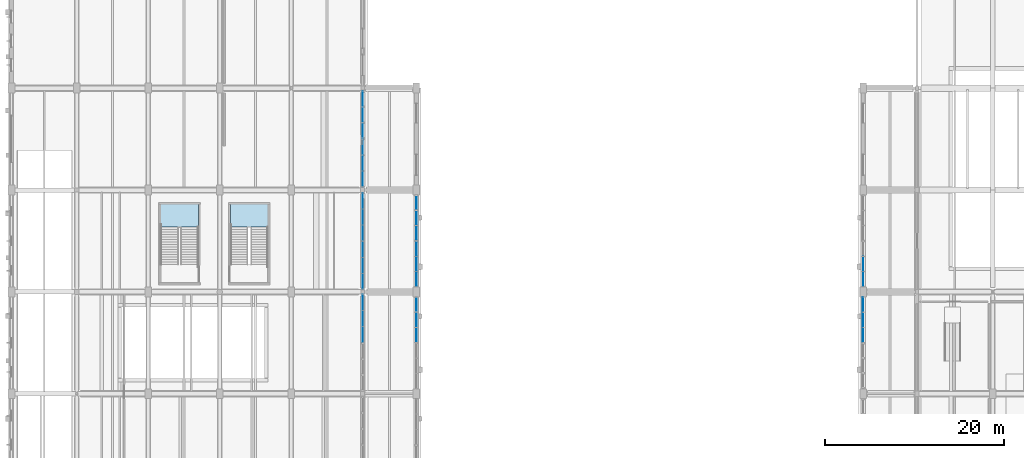
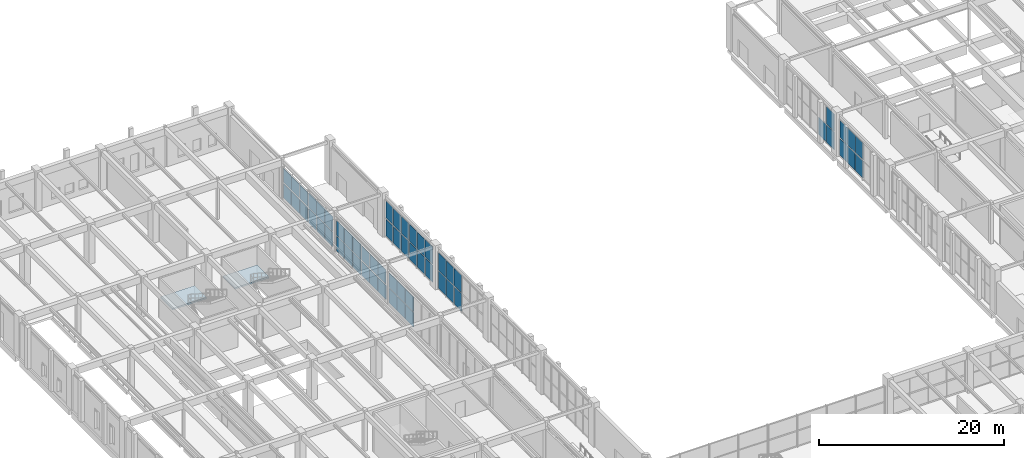
# One storey, part 76 of 113: 57 plates, 2 slabs, 12 elements without a shape of their own.
"""IFC4 building model written with IfcOpenShell, lengths in metres."""

from ifc_helpers import new_model, si_unit, direction, frame, origin, origin_2d, place, context, subcontext, project, spatial, polyline, rectangle, outline, extrude, material, layer, layer_set, type_object, element, aggregate, save


model = new_model("IFC4")

# Units and contexts
model_context = context("Model", 3, precision=1e-05, world=origin(), true_north=direction((0.0, 1.0)))
body_context = subcontext(model_context, "Body", "Model", "MODEL_VIEW")
ifc_project = project(units=[si_unit("LENGTHUNIT", "METRE"), si_unit("AREAUNIT", "SQUARE_METRE"), si_unit("VOLUMEUNIT", "CUBIC_METRE"), si_unit("PLANEANGLEUNIT", "RADIAN"), si_unit("MASSUNIT", "GRAM", prefix="KILO"), si_unit("POWERUNIT", "WATT"), si_unit("THERMODYNAMICTEMPERATUREUNIT", "KELVIN")], contexts=[model_context])

# Site, building, storey
site_placement = place(None, origin())
site = spatial("IfcSite", under=ifc_project, at=site_placement, CompositionType="ELEMENT")
building_placement = place(site_placement, origin())
building = spatial("IfcBuilding", under=site, at=building_placement, Name="Kelmbourne Parkland Aquatics Centre", CompositionType="ELEMENT")
storey_placement = place(building_placement, origin())
storey = spatial("IfcBuildingStorey", under=building, at=storey_placement, Name="L00", CompositionType="ELEMENT", Elevation=0.0)

# Curtain wall, plates
ifc_material_1 = material(Name="Thermally broken anodised aluminium framing", Category="aluminium")
ifc_layer_1 = layer(ifc_material_1, 0.179931640625)
ifc_layer_set_1 = layer_set([ifc_layer_1], Name="Thermally broken anodised aluminium framing")
curtain_wall_type_1 = type_object("IfcCurtainWallType", Name="CW-09", PredefinedType="NOTDEFINED", material=ifc_layer_set_1)
curtain_wall_1_placement = place(storey_placement, origin())
curtain_wall_1 = element("IfcCurtainWall", 1, at=curtain_wall_1_placement, inside=storey, type_object=curtain_wall_type_1, Name="Facade curtain wall CW-L00-177", PredefinedType="NOTDEFINED")
ifc_material_2 = material(Name="Double-glazed low-e laminated safety glass", Category="glass")
ifc_layer_2 = layer(ifc_material_2, 0.02392578125)
ifc_layer_set_2 = layer_set([ifc_layer_2], Name="Double-glazed low-e laminated safety glass")
plate_type_1 = type_object("IfcPlateType", Name="PL-CWP-1", PredefinedType="CURTAIN_PANEL", material=ifc_layer_set_2)
plate_1_placement = place(storey_placement, frame((46.0, 64.38623046875, 0.1171875), z_axis=(0.0, 0.0, 1.0), x_axis=(0.0, 1.0, 0.0)))
plate_1 = element("IfcPlate", 2, at=plate_1_placement, type_object=plate_type_1, Name="CW-L00-177 vision glazing 0-0", PredefinedType="CURTAIN_PANEL", context=body_context, shape_type="SweptSolid", body=[
    extrude(rectangle(XDim=1.61474609375, YDim=0.02392578125, at=origin_2d()), origin(), (0.0, 0.0, 1.0), 2.304931640625),
])
plate_2_placement = place(storey_placement, frame((46.0, 66.073974609375, 0.1171875), z_axis=(0.0, 0.0, 1.0), x_axis=(0.0, 1.0, 0.0)))
plate_2 = element("IfcPlate", 3, at=plate_2_placement, type_object=plate_type_1, Name="CW-L00-177 vision glazing 0-1", PredefinedType="CURTAIN_PANEL", context=body_context, shape_type="SweptSolid", body=[
    extrude(rectangle(XDim=1.614501953125, YDim=0.02392578125, at=origin_2d()), origin(), (0.0, 0.0, 1.0), 2.304931640625),
])
plate_3_placement = place(storey_placement, frame((46.0, 67.76171875, 0.1171875), z_axis=(0.0, 0.0, 1.0), x_axis=(0.0, 1.0, 0.0)))
plate_3 = element("IfcPlate", 4, at=plate_3_placement, type_object=plate_type_1, Name="CW-L00-177 vision glazing 0-2", PredefinedType="CURTAIN_PANEL", context=body_context, shape_type="SweptSolid", body=[
    extrude(rectangle(XDim=1.61474609375, YDim=0.02392578125, at=origin_2d()), origin(), (0.0, 0.0, 1.0), 2.304931640625),
])

ifc_layer_3 = layer(ifc_material_1, 0.179931640625)
ifc_layer_set_3 = layer_set([ifc_layer_3], Name="Thermally broken anodised aluminium framing")
curtain_wall_type_2 = type_object("IfcCurtainWallType", Name="CW-11", PredefinedType="NOTDEFINED", material=ifc_layer_set_3)
curtain_wall_2_placement = place(storey_placement, origin())
curtain_wall_2 = element("IfcCurtainWall", 5, at=curtain_wall_2_placement, inside=storey, type_object=curtain_wall_type_2, Name="Facade curtain wall CW-L00-179", PredefinedType="NOTDEFINED")
plate_4_placement = place(storey_placement, frame((46.0, 75.79296875, 2.56005859375), z_axis=(0.0, 0.0, 1.0), x_axis=(0.0, 1.0, 0.0)))
plate_4 = element("IfcPlate", 6, at=plate_4_placement, type_object=plate_type_1, Name="CW-L00-179 vision glazing 1-0", PredefinedType="CURTAIN_PANEL", context=body_context, shape_type="SweptSolid", body=[
    extrude(rectangle(XDim=1.587890625, YDim=0.02392578125, at=origin_2d()), origin(), (0.0, 0.0, 1.0), 2.215087890625),
])
plate_5_placement = place(storey_placement, frame((46.0, 77.47412109375, 2.56005859375), z_axis=(0.0, 0.0, 1.0), x_axis=(0.0, 1.0, 0.0)))
plate_5 = element("IfcPlate", 7, at=plate_5_placement, type_object=plate_type_1, Name="CW-L00-179 vision glazing 1-1", PredefinedType="CURTAIN_PANEL", context=body_context, shape_type="SweptSolid", body=[
    extrude(rectangle(XDim=1.587890625, YDim=0.02392578125, at=origin_2d()), origin(), (0.0, 0.0, 1.0), 2.215087890625),
])
plate_6_placement = place(storey_placement, frame((46.0, 79.155029296875, 2.56005859375), z_axis=(0.0, 0.0, 1.0), x_axis=(0.0, 1.0, 0.0)))
plate_6 = element("IfcPlate", 8, at=plate_6_placement, type_object=plate_type_1, Name="CW-L00-179 vision glazing 1-2", PredefinedType="CURTAIN_PANEL", context=body_context, shape_type="SweptSolid", body=[
    extrude(rectangle(XDim=1.587890625, YDim=0.02392578125, at=origin_2d()), origin(), (0.0, 0.0, 1.0), 2.215087890625),
])

ifc_layer_4 = layer(ifc_material_1, 0.179931640625)
ifc_layer_set_4 = layer_set([ifc_layer_4], Name="Thermally broken anodised aluminium framing")
curtain_wall_type_3 = type_object("IfcCurtainWallType", Name="CW-17", PredefinedType="NOTDEFINED", material=ifc_layer_set_4)
curtain_wall_3_placement = place(storey_placement, origin())
curtain_wall_3 = element("IfcCurtainWall", 9, at=curtain_wall_3_placement, inside=storey, type_object=curtain_wall_type_3, Name="Facade curtain wall CW-L00-185", PredefinedType="NOTDEFINED")
plate_7_placement = place(storey_placement, frame((96.0, 64.379638671875, 2.56005859375), z_axis=(0.0, 0.0, 1.0), x_axis=(0.0, 1.0, 0.0)))
plate_7 = element("IfcPlate", 10, at=plate_7_placement, type_object=plate_type_1, Name="CW-L00-185 vision glazing 1-0", PredefinedType="CURTAIN_PANEL", context=body_context, shape_type="SweptSolid", body=[
    extrude(rectangle(XDim=1.641357421875, YDim=0.02392578125, at=origin_2d()), origin(), (0.0, 0.0, 1.0), 2.215087890625),
])
plate_8_placement = place(storey_placement, frame((96.0, 66.073974609375, 2.56005859375), z_axis=(0.0, 0.0, 1.0), x_axis=(0.0, 1.0, 0.0)))
plate_8 = element("IfcPlate", 11, at=plate_8_placement, type_object=plate_type_1, Name="CW-L00-185 vision glazing 1-1", PredefinedType="CURTAIN_PANEL", context=body_context, shape_type="SweptSolid", body=[
    extrude(rectangle(XDim=1.641357421875, YDim=0.02392578125, at=origin_2d()), origin(), (0.0, 0.0, 1.0), 2.215087890625),
])
plate_9_placement = place(storey_placement, frame((96.0, 67.768310546875, 2.56005859375), z_axis=(0.0, 0.0, 1.0), x_axis=(0.0, 1.0, 0.0)))
plate_9 = element("IfcPlate", 12, at=plate_9_placement, type_object=plate_type_1, Name="CW-L00-185 vision glazing 1-2", PredefinedType="CURTAIN_PANEL", context=body_context, shape_type="SweptSolid", body=[
    extrude(rectangle(XDim=1.641357421875, YDim=0.02392578125, at=origin_2d()), origin(), (0.0, 0.0, 1.0), 2.215087890625),
])

ifc_layer_5 = layer(ifc_material_1, 0.179931640625)
ifc_layer_set_5 = layer_set([ifc_layer_5], Name="Thermally broken anodised aluminium framing")
curtain_wall_type_4 = type_object("IfcCurtainWallType", Name="CW-18", PredefinedType="NOTDEFINED", material=ifc_layer_set_5)
curtain_wall_4_placement = place(storey_placement, origin())
curtain_wall_4 = element("IfcCurtainWall", 13, at=curtain_wall_4_placement, inside=storey, type_object=curtain_wall_type_4, Name="Facade curtain wall CW-L00-186", PredefinedType="NOTDEFINED")
plate_10_placement = place(storey_placement, frame((96.0, 70.635009765625, 0.1171875), z_axis=(0.0, 0.0, 1.0), x_axis=(0.0, 1.0, 0.0)))
plate_10 = element("IfcPlate", 14, at=plate_10_placement, type_object=plate_type_1, Name="CW-L00-186 vision glazing 0-0", PredefinedType="CURTAIN_PANEL", context=body_context, shape_type="SweptSolid", body=[
    extrude(rectangle(XDim=1.6279296875, YDim=0.02392578125, at=origin_2d()), origin(), (0.0, 0.0, 1.0), 2.304931640625),
])
plate_11_placement = place(storey_placement, frame((96.0, 72.325927734375, 0.1171875), z_axis=(0.0, 0.0, 1.0), x_axis=(0.0, 1.0, 0.0)))
plate_11 = element("IfcPlate", 15, at=plate_11_placement, type_object=plate_type_1, Name="CW-L00-186 vision glazing 0-1", PredefinedType="CURTAIN_PANEL", context=body_context, shape_type="SweptSolid", body=[
    extrude(rectangle(XDim=1.6279296875, YDim=0.02392578125, at=origin_2d()), origin(), (0.0, 0.0, 1.0), 2.304931640625),
])

ifc_layer_6 = layer(ifc_material_1, 0.179931640625)
ifc_layer_set_6 = layer_set([ifc_layer_6], Name="Thermally broken anodised aluminium framing")
curtain_wall_type_5 = type_object("IfcCurtainWallType", Name="CW-05", PredefinedType="NOTDEFINED", material=ifc_layer_set_6)
curtain_wall_5_placement = place(storey_placement, origin())
curtain_wall_5 = element("IfcCurtainWall", 16, at=curtain_wall_5_placement, inside=storey, type_object=curtain_wall_type_5, Name="Facade curtain wall CW-L00-221", PredefinedType="NOTDEFINED")
plate_12_placement = place(storey_placement, frame((40.0, 70.380859375, 2.20654296875), z_axis=(0.0, 0.0, 1.0), x_axis=(0.0, 1.0, 0.0)))
plate_12 = element("IfcPlate", 17, at=plate_12_placement, type_object=plate_type_1, Name="CW-L00-221 vision glazing 1-0", PredefinedType="CURTAIN_PANEL", context=body_context, shape_type="SweptSolid", body=[
    extrude(rectangle(XDim=1.7197265625, YDim=0.02392578125, at=origin_2d()), origin(), (0.0, 0.0, 1.0), 1.861572265625),
])
plate_13_placement = place(storey_placement, frame((40.0, 72.16357421875, 2.20654296875), z_axis=(0.0, 0.0, 1.0), x_axis=(0.0, 1.0, 0.0)))
plate_13 = element("IfcPlate", 18, at=plate_13_placement, type_object=plate_type_1, Name="CW-L00-221 vision glazing 1-1", PredefinedType="CURTAIN_PANEL", context=body_context, shape_type="SweptSolid", body=[
    extrude(rectangle(XDim=1.719482421875, YDim=0.02392578125, at=origin_2d()), origin(), (0.0, 0.0, 1.0), 1.861572265625),
])
plate_14_placement = place(storey_placement, frame((40.0, 73.9462890625, 2.20654296875), z_axis=(0.0, 0.0, 1.0), x_axis=(0.0, 1.0, 0.0)))
plate_14 = element("IfcPlate", 19, at=plate_14_placement, type_object=plate_type_1, Name="CW-L00-221 vision glazing 1-2", PredefinedType="CURTAIN_PANEL", context=body_context, shape_type="SweptSolid", body=[
    extrude(rectangle(XDim=1.7197265625, YDim=0.02392578125, at=origin_2d()), origin(), (0.0, 0.0, 1.0), 1.861572265625),
])

ifc_layer_7 = layer(ifc_material_1, 0.179931640625)
ifc_layer_set_7 = layer_set([ifc_layer_7], Name="Thermally broken anodised aluminium framing")
curtain_wall_type_6 = type_object("IfcCurtainWallType", Name="CW-06", PredefinedType="NOTDEFINED", material=ifc_layer_set_7)
curtain_wall_6_placement = place(storey_placement, origin())
curtain_wall_6 = element("IfcCurtainWall", 20, at=curtain_wall_6_placement, inside=storey, type_object=curtain_wall_type_6, Name="Facade curtain wall CW-L00-222", PredefinedType="NOTDEFINED")
plate_15_placement = place(storey_placement, frame((40.0, 75.80712890625, 0.1171875), z_axis=(0.0, 0.0, 1.0), x_axis=(0.0, 1.0, 0.0)))
plate_15 = element("IfcPlate", 21, at=plate_15_placement, type_object=plate_type_1, Name="CW-L00-222 vision glazing 0-0", PredefinedType="CURTAIN_PANEL", context=body_context, shape_type="SweptSolid", body=[
    extrude(rectangle(XDim=1.706298828125, YDim=0.02392578125, at=origin_2d()), origin(), (0.0, 0.0, 1.0), 1.951416015625),
])
plate_16_placement = place(storey_placement, frame((40.0, 77.58642578125, 0.1171875), z_axis=(0.0, 0.0, 1.0), x_axis=(0.0, 1.0, 0.0)))
plate_16 = element("IfcPlate", 22, at=plate_16_placement, type_object=plate_type_1, Name="CW-L00-222 vision glazing 0-1", PredefinedType="CURTAIN_PANEL", context=body_context, shape_type="SweptSolid", body=[
    extrude(rectangle(XDim=1.706298828125, YDim=0.02392578125, at=origin_2d()), origin(), (0.0, 0.0, 1.0), 1.951416015625),
])
plate_17_placement = place(storey_placement, frame((40.0, 79.36572265625, 0.1171875), z_axis=(0.0, 0.0, 1.0), x_axis=(0.0, 1.0, 0.0)))
plate_17 = element("IfcPlate", 23, at=plate_17_placement, type_object=plate_type_1, Name="CW-L00-222 vision glazing 0-2", PredefinedType="CURTAIN_PANEL", context=body_context, shape_type="SweptSolid", body=[
    extrude(rectangle(XDim=1.706298828125, YDim=0.02392578125, at=origin_2d()), origin(), (0.0, 0.0, 1.0), 1.951416015625),
])

ifc_layer_8 = layer(ifc_material_1, 0.179931640625)
ifc_layer_set_8 = layer_set([ifc_layer_8], Name="Thermally broken anodised aluminium framing")
curtain_wall_type_7 = type_object("IfcCurtainWallType", Name="CW-08", PredefinedType="NOTDEFINED", material=ifc_layer_set_8)
curtain_wall_7_placement = place(storey_placement, origin())
curtain_wall_7 = element("IfcCurtainWall", 24, at=curtain_wall_7_placement, inside=storey, type_object=curtain_wall_type_7, Name="Facade curtain wall CW-L00-224", PredefinedType="NOTDEFINED")
plate_18_placement = place(storey_placement, frame((40.0, 87.263916015625, 2.20654296875), z_axis=(0.0, 0.0, 1.0), x_axis=(0.0, 1.0, 0.0)))
plate_18 = element("IfcPlate", 25, at=plate_18_placement, type_object=plate_type_1, Name="CW-L00-224 vision glazing 1-0", PredefinedType="CURTAIN_PANEL", context=body_context, shape_type="SweptSolid", body=[
    extrude(rectangle(XDim=1.6796875, YDim=0.02392578125, at=origin_2d()), origin(), (0.0, 0.0, 1.0), 1.861572265625),
])
plate_19_placement = place(storey_placement, frame((40.0, 89.03662109375, 2.20654296875), z_axis=(0.0, 0.0, 1.0), x_axis=(0.0, 1.0, 0.0)))
plate_19 = element("IfcPlate", 26, at=plate_19_placement, type_object=plate_type_1, Name="CW-L00-224 vision glazing 1-1", PredefinedType="CURTAIN_PANEL", context=body_context, shape_type="SweptSolid", body=[
    extrude(rectangle(XDim=1.6796875, YDim=0.02392578125, at=origin_2d()), origin(), (0.0, 0.0, 1.0), 1.861572265625),
])
plate_20_placement = place(storey_placement, frame((40.0, 90.80908203125, 2.20654296875), z_axis=(0.0, 0.0, 1.0), x_axis=(0.0, 1.0, 0.0)))
plate_20 = element("IfcPlate", 27, at=plate_20_placement, type_object=plate_type_1, Name="CW-L00-224 vision glazing 1-2", PredefinedType="CURTAIN_PANEL", context=body_context, shape_type="SweptSolid", body=[
    extrude(rectangle(XDim=1.6796875, YDim=0.02392578125, at=origin_2d()), origin(), (0.0, 0.0, 1.0), 1.861572265625),
])

# Plate
ifc_layer_9 = layer(ifc_material_2, 0.035888671875)
ifc_layer_set_9 = layer_set([ifc_layer_9], Name="Double-glazed low-e laminated safety glass")
plate_type_2 = type_object("IfcPlateType", Name="PL-CWP-2", PredefinedType="CURTAIN_PANEL", material=ifc_layer_set_9)
plate_21_placement = place(storey_placement, frame((46.0, 64.38623046875, 2.5302734375), z_axis=(0.0, 0.0, 1.0), x_axis=(0.0, 1.0, 0.0)))
plate_21 = element("IfcPlate", 28, at=plate_21_placement, type_object=plate_type_2, Name="CW-L00-177 vision glazing 1-0", PredefinedType="CURTAIN_PANEL", context=body_context, shape_type="SweptSolid", body=[
    extrude(rectangle(XDim=1.61474609375, YDim=0.035888671875, at=origin_2d()), origin(), (0.0, 0.0, 1.0), 2.304931640625),
])

plate_22_placement = place(storey_placement, frame((46.0, 66.073974609375, 2.5302734375), z_axis=(0.0, 0.0, 1.0), x_axis=(0.0, 1.0, 0.0)))
plate_22 = element("IfcPlate", 29, at=plate_22_placement, type_object=plate_type_2, Name="CW-L00-177 vision glazing 1-1", PredefinedType="CURTAIN_PANEL", context=body_context, shape_type="SweptSolid", body=[
    extrude(rectangle(XDim=1.614501953125, YDim=0.035888671875, at=origin_2d()), origin(), (0.0, 0.0, 1.0), 2.304931640625),
])

plate_23_placement = place(storey_placement, frame((46.0, 67.76171875, 2.5302734375), z_axis=(0.0, 0.0, 1.0), x_axis=(0.0, 1.0, 0.0)))
plate_23 = element("IfcPlate", 30, at=plate_23_placement, type_object=plate_type_2, Name="CW-L00-177 vision glazing 1-2", PredefinedType="CURTAIN_PANEL", context=body_context, shape_type="SweptSolid", body=[
    extrude(rectangle(XDim=1.61474609375, YDim=0.035888671875, at=origin_2d()), origin(), (0.0, 0.0, 1.0), 2.304931640625),
])

aggregate(curtain_wall_1, [plate_1, plate_2, plate_3, plate_21, plate_22, plate_23])

# Curtain wall, plates
ifc_layer_10 = layer(ifc_material_1, 0.179931640625)
ifc_layer_set_10 = layer_set([ifc_layer_10], Name="Thermally broken anodised aluminium framing")
curtain_wall_type_8 = type_object("IfcCurtainWallType", Name="CW-10", PredefinedType="NOTDEFINED", material=ifc_layer_set_10)
curtain_wall_8_placement = place(storey_placement, origin())
curtain_wall_8 = element("IfcCurtainWall", 31, at=curtain_wall_8_placement, inside=storey, type_object=curtain_wall_type_8, Name="Facade curtain wall CW-L00-178", PredefinedType="NOTDEFINED")
plate_24_placement = place(storey_placement, frame((46.0, 70.6416015625, 0.14697265625), z_axis=(0.0, 0.0, 1.0), x_axis=(0.0, 1.0, 0.0)))
plate_24 = element("IfcPlate", 32, at=plate_24_placement, type_object=plate_type_2, Name="CW-L00-178 vision glazing 0-0", PredefinedType="CURTAIN_PANEL", context=body_context, shape_type="SweptSolid", body=[
    extrude(rectangle(XDim=1.601318359375, YDim=0.035888671875, at=origin_2d()), origin(), (0.0, 0.0, 1.0), 2.260009765625),
])
plate_25_placement = place(storey_placement, frame((46.0, 72.325927734375, 0.14697265625), z_axis=(0.0, 0.0, 1.0), x_axis=(0.0, 1.0, 0.0)))
plate_25 = element("IfcPlate", 33, at=plate_25_placement, type_object=plate_type_2, Name="CW-L00-178 vision glazing 0-1", PredefinedType="CURTAIN_PANEL", context=body_context, shape_type="SweptSolid", body=[
    extrude(rectangle(XDim=1.601318359375, YDim=0.035888671875, at=origin_2d()), origin(), (0.0, 0.0, 1.0), 2.260009765625),
])
plate_26_placement = place(storey_placement, frame((46.0, 74.01025390625, 0.14697265625), z_axis=(0.0, 0.0, 1.0), x_axis=(0.0, 1.0, 0.0)))
plate_26 = element("IfcPlate", 34, at=plate_26_placement, type_object=plate_type_2, Name="CW-L00-178 vision glazing 0-2", PredefinedType="CURTAIN_PANEL", context=body_context, shape_type="SweptSolid", body=[
    extrude(rectangle(XDim=1.601318359375, YDim=0.035888671875, at=origin_2d()), origin(), (0.0, 0.0, 1.0), 2.260009765625),
])

# Plate
plate_27_placement = place(storey_placement, frame((96.0, 70.635009765625, 2.5302734375), z_axis=(0.0, 0.0, 1.0), x_axis=(0.0, 1.0, 0.0)))
plate_27 = element("IfcPlate", 35, at=plate_27_placement, type_object=plate_type_2, Name="CW-L00-186 vision glazing 1-0", PredefinedType="CURTAIN_PANEL", context=body_context, shape_type="SweptSolid", body=[
    extrude(rectangle(XDim=1.6279296875, YDim=0.035888671875, at=origin_2d()), origin(), (0.0, 0.0, 1.0), 2.304931640625),
])

aggregate(curtain_wall_4, [plate_10, plate_11, plate_27])

# Curtain wall, plates
ifc_layer_11 = layer(ifc_material_1, 0.179931640625)
ifc_layer_set_11 = layer_set([ifc_layer_11], Name="Thermally broken anodised aluminium framing")
curtain_wall_type_9 = type_object("IfcCurtainWallType", Name="CW-04", PredefinedType="NOTDEFINED", material=ifc_layer_set_11)
curtain_wall_9_placement = place(storey_placement, origin())
curtain_wall_9 = element("IfcCurtainWall", 36, at=curtain_wall_9_placement, inside=storey, type_object=curtain_wall_type_9, Name="Facade curtain wall CW-L00-220", PredefinedType="NOTDEFINED")
plate_28_placement = place(storey_placement, frame((40.0, 64.450439453125, 0.14697265625), z_axis=(0.0, 0.0, 1.0), x_axis=(0.0, 1.0, 0.0)))
plate_28 = element("IfcPlate", 37, at=plate_28_placement, type_object=plate_type_2, Name="CW-L00-220 vision glazing 0-0", PredefinedType="CURTAIN_PANEL", context=body_context, shape_type="SweptSolid", body=[
    extrude(rectangle(XDim=1.73291015625, YDim=0.035888671875, at=origin_2d()), origin(), (0.0, 0.0, 1.0), 1.906494140625),
])
plate_29_placement = place(storey_placement, frame((40.0, 66.236572265625, 0.14697265625), z_axis=(0.0, 0.0, 1.0), x_axis=(0.0, 1.0, 0.0)))
plate_29 = element("IfcPlate", 38, at=plate_29_placement, type_object=plate_type_2, Name="CW-L00-220 vision glazing 0-1", PredefinedType="CURTAIN_PANEL", context=body_context, shape_type="SweptSolid", body=[
    extrude(rectangle(XDim=1.73291015625, YDim=0.035888671875, at=origin_2d()), origin(), (0.0, 0.0, 1.0), 1.906494140625),
])
plate_30_placement = place(storey_placement, frame((40.0, 68.0224609375, 0.14697265625), z_axis=(0.0, 0.0, 1.0), x_axis=(0.0, 1.0, 0.0)))
plate_30 = element("IfcPlate", 39, at=plate_30_placement, type_object=plate_type_2, Name="CW-L00-220 vision glazing 0-2", PredefinedType="CURTAIN_PANEL", context=body_context, shape_type="SweptSolid", body=[
    extrude(rectangle(XDim=1.73291015625, YDim=0.035888671875, at=origin_2d()), origin(), (0.0, 0.0, 1.0), 1.906494140625),
])

# Plate
plate_31_placement = place(storey_placement, frame((40.0, 75.80712890625, 2.1767578125), z_axis=(0.0, 0.0, 1.0), x_axis=(0.0, 1.0, 0.0)))
plate_31 = element("IfcPlate", 40, at=plate_31_placement, type_object=plate_type_2, Name="CW-L00-222 vision glazing 1-0", PredefinedType="CURTAIN_PANEL", context=body_context, shape_type="SweptSolid", body=[
    extrude(rectangle(XDim=1.706298828125, YDim=0.035888671875, at=origin_2d()), origin(), (0.0, 0.0, 1.0), 1.951416015625),
])

plate_32_placement = place(storey_placement, frame((40.0, 77.58642578125, 2.1767578125), z_axis=(0.0, 0.0, 1.0), x_axis=(0.0, 1.0, 0.0)))
plate_32 = element("IfcPlate", 41, at=plate_32_placement, type_object=plate_type_2, Name="CW-L00-222 vision glazing 1-1", PredefinedType="CURTAIN_PANEL", context=body_context, shape_type="SweptSolid", body=[
    extrude(rectangle(XDim=1.706298828125, YDim=0.035888671875, at=origin_2d()), origin(), (0.0, 0.0, 1.0), 1.951416015625),
])

plate_33_placement = place(storey_placement, frame((40.0, 79.36572265625, 2.1767578125), z_axis=(0.0, 0.0, 1.0), x_axis=(0.0, 1.0, 0.0)))
plate_33 = element("IfcPlate", 42, at=plate_33_placement, type_object=plate_type_2, Name="CW-L00-222 vision glazing 1-2", PredefinedType="CURTAIN_PANEL", context=body_context, shape_type="SweptSolid", body=[
    extrude(rectangle(XDim=1.706298828125, YDim=0.035888671875, at=origin_2d()), origin(), (0.0, 0.0, 1.0), 1.951416015625),
])

aggregate(curtain_wall_6, [plate_15, plate_16, plate_17, plate_31, plate_32, plate_33])

# Curtain wall, plates
ifc_layer_12 = layer(ifc_material_1, 0.179931640625)
ifc_layer_set_12 = layer_set([ifc_layer_12], Name="Thermally broken anodised aluminium framing")
curtain_wall_type_10 = type_object("IfcCurtainWallType", Name="CW-07", PredefinedType="NOTDEFINED", material=ifc_layer_set_12)
curtain_wall_10_placement = place(storey_placement, origin())
curtain_wall_10 = element("IfcCurtainWall", 43, at=curtain_wall_10_placement, inside=storey, type_object=curtain_wall_type_10, Name="Facade curtain wall CW-L00-223", PredefinedType="NOTDEFINED")
plate_34_placement = place(storey_placement, frame((40.0, 81.83740234375, 0.14697265625), z_axis=(0.0, 0.0, 1.0), x_axis=(0.0, 1.0, 0.0)))
plate_34 = element("IfcPlate", 44, at=plate_34_placement, type_object=plate_type_2, Name="CW-L00-223 vision glazing 0-0", PredefinedType="CURTAIN_PANEL", context=body_context, shape_type="SweptSolid", body=[
    extrude(rectangle(XDim=1.693115234375, YDim=0.035888671875, at=origin_2d()), origin(), (0.0, 0.0, 1.0), 1.906494140625),
])
plate_35_placement = place(storey_placement, frame((40.0, 83.613525390625, 0.14697265625), z_axis=(0.0, 0.0, 1.0), x_axis=(0.0, 1.0, 0.0)))
plate_35 = element("IfcPlate", 45, at=plate_35_placement, type_object=plate_type_2, Name="CW-L00-223 vision glazing 0-1", PredefinedType="CURTAIN_PANEL", context=body_context, shape_type="SweptSolid", body=[
    extrude(rectangle(XDim=1.693115234375, YDim=0.035888671875, at=origin_2d()), origin(), (0.0, 0.0, 1.0), 1.906494140625),
])
plate_36_placement = place(storey_placement, frame((40.0, 85.389404296875, 0.14697265625), z_axis=(0.0, 0.0, 1.0), x_axis=(0.0, 1.0, 0.0)))
plate_36 = element("IfcPlate", 46, at=plate_36_placement, type_object=plate_type_2, Name="CW-L00-223 vision glazing 0-2", PredefinedType="CURTAIN_PANEL", context=body_context, shape_type="SweptSolid", body=[
    extrude(rectangle(XDim=1.693115234375, YDim=0.035888671875, at=origin_2d()), origin(), (0.0, 0.0, 1.0), 1.906494140625),
])

# Plate
ifc_layer_13 = layer(ifc_material_2, 0.048095703125)
ifc_layer_set_13 = layer_set([ifc_layer_13], Name="Double-glazed low-e laminated safety glass")
plate_type_3 = type_object("IfcPlateType", Name="PL-CWP-3", PredefinedType="CURTAIN_PANEL", material=ifc_layer_set_13)
plate_37_placement = place(storey_placement, frame((46.0, 70.6416015625, 2.544921875), z_axis=(0.0, 0.0, 1.0), x_axis=(0.0, 1.0, 0.0)))
plate_37 = element("IfcPlate", 47, at=plate_37_placement, type_object=plate_type_3, Name="CW-L00-178 vision glazing 1-0", PredefinedType="CURTAIN_PANEL", context=body_context, shape_type="SweptSolid", body=[
    extrude(rectangle(XDim=1.601318359375, YDim=0.048095703125, at=origin_2d()), origin(), (0.0, 0.0, 1.0), 2.260009765625),
])

plate_38_placement = place(storey_placement, frame((46.0, 72.325927734375, 2.544921875), z_axis=(0.0, 0.0, 1.0), x_axis=(0.0, 1.0, 0.0)))
plate_38 = element("IfcPlate", 48, at=plate_38_placement, type_object=plate_type_3, Name="CW-L00-178 vision glazing 1-1", PredefinedType="CURTAIN_PANEL", context=body_context, shape_type="SweptSolid", body=[
    extrude(rectangle(XDim=1.601318359375, YDim=0.048095703125, at=origin_2d()), origin(), (0.0, 0.0, 1.0), 2.260009765625),
])

plate_39_placement = place(storey_placement, frame((46.0, 74.01025390625, 2.544921875), z_axis=(0.0, 0.0, 1.0), x_axis=(0.0, 1.0, 0.0)))
plate_39 = element("IfcPlate", 49, at=plate_39_placement, type_object=plate_type_3, Name="CW-L00-178 vision glazing 1-2", PredefinedType="CURTAIN_PANEL", context=body_context, shape_type="SweptSolid", body=[
    extrude(rectangle(XDim=1.601318359375, YDim=0.048095703125, at=origin_2d()), origin(), (0.0, 0.0, 1.0), 2.260009765625),
])

aggregate(curtain_wall_8, [plate_24, plate_25, plate_26, plate_37, plate_38, plate_39])

plate_40_placement = place(storey_placement, frame((46.0, 75.79296875, 0.1767578125), z_axis=(0.0, 0.0, 1.0), x_axis=(0.0, 1.0, 0.0)))
plate_40 = element("IfcPlate", 50, at=plate_40_placement, type_object=plate_type_3, Name="CW-L00-179 vision glazing 0-0", PredefinedType="CURTAIN_PANEL", context=body_context, shape_type="SweptSolid", body=[
    extrude(rectangle(XDim=1.587890625, YDim=0.048095703125, at=origin_2d()), origin(), (0.0, 0.0, 1.0), 2.215087890625),
])

plate_41_placement = place(storey_placement, frame((46.0, 77.47412109375, 0.1767578125), z_axis=(0.0, 0.0, 1.0), x_axis=(0.0, 1.0, 0.0)))
plate_41 = element("IfcPlate", 51, at=plate_41_placement, type_object=plate_type_3, Name="CW-L00-179 vision glazing 0-1", PredefinedType="CURTAIN_PANEL", context=body_context, shape_type="SweptSolid", body=[
    extrude(rectangle(XDim=1.587890625, YDim=0.048095703125, at=origin_2d()), origin(), (0.0, 0.0, 1.0), 2.215087890625),
])

plate_42_placement = place(storey_placement, frame((46.0, 79.155029296875, 0.1767578125), z_axis=(0.0, 0.0, 1.0), x_axis=(0.0, 1.0, 0.0)))
plate_42 = element("IfcPlate", 52, at=plate_42_placement, type_object=plate_type_3, Name="CW-L00-179 vision glazing 0-2", PredefinedType="CURTAIN_PANEL", context=body_context, shape_type="SweptSolid", body=[
    extrude(rectangle(XDim=1.587890625, YDim=0.048095703125, at=origin_2d()), origin(), (0.0, 0.0, 1.0), 2.215087890625),
])

aggregate(curtain_wall_2, [plate_40, plate_41, plate_42, plate_4, plate_5, plate_6])

plate_43_placement = place(storey_placement, frame((96.0, 64.379638671875, 0.1767578125), z_axis=(0.0, 0.0, 1.0), x_axis=(0.0, 1.0, 0.0)))
plate_43 = element("IfcPlate", 53, at=plate_43_placement, type_object=plate_type_3, Name="CW-L00-185 vision glazing 0-0", PredefinedType="CURTAIN_PANEL", context=body_context, shape_type="SweptSolid", body=[
    extrude(rectangle(XDim=1.641357421875, YDim=0.048095703125, at=origin_2d()), origin(), (0.0, 0.0, 1.0), 2.215087890625),
])

plate_44_placement = place(storey_placement, frame((96.0, 66.073974609375, 0.1767578125), z_axis=(0.0, 0.0, 1.0), x_axis=(0.0, 1.0, 0.0)))
plate_44 = element("IfcPlate", 54, at=plate_44_placement, type_object=plate_type_3, Name="CW-L00-185 vision glazing 0-1", PredefinedType="CURTAIN_PANEL", context=body_context, shape_type="SweptSolid", body=[
    extrude(rectangle(XDim=1.641357421875, YDim=0.048095703125, at=origin_2d()), origin(), (0.0, 0.0, 1.0), 2.215087890625),
])

plate_45_placement = place(storey_placement, frame((96.0, 67.768310546875, 0.1767578125), z_axis=(0.0, 0.0, 1.0), x_axis=(0.0, 1.0, 0.0)))
plate_45 = element("IfcPlate", 55, at=plate_45_placement, type_object=plate_type_3, Name="CW-L00-185 vision glazing 0-2", PredefinedType="CURTAIN_PANEL", context=body_context, shape_type="SweptSolid", body=[
    extrude(rectangle(XDim=1.641357421875, YDim=0.048095703125, at=origin_2d()), origin(), (0.0, 0.0, 1.0), 2.215087890625),
])

aggregate(curtain_wall_3, [plate_43, plate_44, plate_45, plate_7, plate_8, plate_9])

plate_46_placement = place(storey_placement, frame((40.0, 64.450439453125, 2.19140625), z_axis=(0.0, 0.0, 1.0), x_axis=(0.0, 1.0, 0.0)))
plate_46 = element("IfcPlate", 56, at=plate_46_placement, type_object=plate_type_3, Name="CW-L00-220 vision glazing 1-0", PredefinedType="CURTAIN_PANEL", context=body_context, shape_type="SweptSolid", body=[
    extrude(rectangle(XDim=1.73291015625, YDim=0.048095703125, at=origin_2d()), origin(), (0.0, 0.0, 1.0), 1.906494140625),
])

plate_47_placement = place(storey_placement, frame((40.0, 66.236572265625, 2.19140625), z_axis=(0.0, 0.0, 1.0), x_axis=(0.0, 1.0, 0.0)))
plate_47 = element("IfcPlate", 57, at=plate_47_placement, type_object=plate_type_3, Name="CW-L00-220 vision glazing 1-1", PredefinedType="CURTAIN_PANEL", context=body_context, shape_type="SweptSolid", body=[
    extrude(rectangle(XDim=1.73291015625, YDim=0.048095703125, at=origin_2d()), origin(), (0.0, 0.0, 1.0), 1.906494140625),
])

plate_48_placement = place(storey_placement, frame((40.0, 68.0224609375, 2.19140625), z_axis=(0.0, 0.0, 1.0), x_axis=(0.0, 1.0, 0.0)))
plate_48 = element("IfcPlate", 58, at=plate_48_placement, type_object=plate_type_3, Name="CW-L00-220 vision glazing 1-2", PredefinedType="CURTAIN_PANEL", context=body_context, shape_type="SweptSolid", body=[
    extrude(rectangle(XDim=1.73291015625, YDim=0.048095703125, at=origin_2d()), origin(), (0.0, 0.0, 1.0), 1.906494140625),
])

aggregate(curtain_wall_9, [plate_28, plate_29, plate_30, plate_46, plate_47, plate_48])

plate_49_placement = place(storey_placement, frame((40.0, 70.380859375, 0.17724609375), z_axis=(0.0, 0.0, 1.0), x_axis=(0.0, 1.0, 0.0)))
plate_49 = element("IfcPlate", 59, at=plate_49_placement, type_object=plate_type_3, Name="CW-L00-221 vision glazing 0-0", PredefinedType="CURTAIN_PANEL", context=body_context, shape_type="SweptSolid", body=[
    extrude(rectangle(XDim=1.7197265625, YDim=0.048095703125, at=origin_2d()), origin(), (0.0, 0.0, 1.0), 1.861572265625),
])

plate_50_placement = place(storey_placement, frame((40.0, 72.16357421875, 0.17724609375), z_axis=(0.0, 0.0, 1.0), x_axis=(0.0, 1.0, 0.0)))
plate_50 = element("IfcPlate", 60, at=plate_50_placement, type_object=plate_type_3, Name="CW-L00-221 vision glazing 0-1", PredefinedType="CURTAIN_PANEL", context=body_context, shape_type="SweptSolid", body=[
    extrude(rectangle(XDim=1.719482421875, YDim=0.048095703125, at=origin_2d()), origin(), (0.0, 0.0, 1.0), 1.861572265625),
])

plate_51_placement = place(storey_placement, frame((40.0, 73.9462890625, 0.17724609375), z_axis=(0.0, 0.0, 1.0), x_axis=(0.0, 1.0, 0.0)))
plate_51 = element("IfcPlate", 61, at=plate_51_placement, type_object=plate_type_3, Name="CW-L00-221 vision glazing 0-2", PredefinedType="CURTAIN_PANEL", context=body_context, shape_type="SweptSolid", body=[
    extrude(rectangle(XDim=1.7197265625, YDim=0.048095703125, at=origin_2d()), origin(), (0.0, 0.0, 1.0), 1.861572265625),
])

aggregate(curtain_wall_5, [plate_49, plate_50, plate_51, plate_12, plate_13, plate_14])

plate_52_placement = place(storey_placement, frame((40.0, 81.83740234375, 2.19140625), z_axis=(0.0, 0.0, 1.0), x_axis=(0.0, 1.0, 0.0)))
plate_52 = element("IfcPlate", 62, at=plate_52_placement, type_object=plate_type_3, Name="CW-L00-223 vision glazing 1-0", PredefinedType="CURTAIN_PANEL", context=body_context, shape_type="SweptSolid", body=[
    extrude(rectangle(XDim=1.693115234375, YDim=0.048095703125, at=origin_2d()), origin(), (0.0, 0.0, 1.0), 1.906494140625),
])

plate_53_placement = place(storey_placement, frame((40.0, 83.613525390625, 2.19140625), z_axis=(0.0, 0.0, 1.0), x_axis=(0.0, 1.0, 0.0)))
plate_53 = element("IfcPlate", 63, at=plate_53_placement, type_object=plate_type_3, Name="CW-L00-223 vision glazing 1-1", PredefinedType="CURTAIN_PANEL", context=body_context, shape_type="SweptSolid", body=[
    extrude(rectangle(XDim=1.693115234375, YDim=0.048095703125, at=origin_2d()), origin(), (0.0, 0.0, 1.0), 1.906494140625),
])

plate_54_placement = place(storey_placement, frame((40.0, 85.389404296875, 2.19140625), z_axis=(0.0, 0.0, 1.0), x_axis=(0.0, 1.0, 0.0)))
plate_54 = element("IfcPlate", 64, at=plate_54_placement, type_object=plate_type_3, Name="CW-L00-223 vision glazing 1-2", PredefinedType="CURTAIN_PANEL", context=body_context, shape_type="SweptSolid", body=[
    extrude(rectangle(XDim=1.693115234375, YDim=0.048095703125, at=origin_2d()), origin(), (0.0, 0.0, 1.0), 1.906494140625),
])

aggregate(curtain_wall_10, [plate_34, plate_35, plate_36, plate_52, plate_53, plate_54])

plate_55_placement = place(storey_placement, frame((40.0, 87.263916015625, 0.17724609375), z_axis=(0.0, 0.0, 1.0), x_axis=(0.0, 1.0, 0.0)))
plate_55 = element("IfcPlate", 65, at=plate_55_placement, type_object=plate_type_3, Name="CW-L00-224 vision glazing 0-0", PredefinedType="CURTAIN_PANEL", context=body_context, shape_type="SweptSolid", body=[
    extrude(rectangle(XDim=1.6796875, YDim=0.048095703125, at=origin_2d()), origin(), (0.0, 0.0, 1.0), 1.861572265625),
])

plate_56_placement = place(storey_placement, frame((40.0, 89.03662109375, 0.17724609375), z_axis=(0.0, 0.0, 1.0), x_axis=(0.0, 1.0, 0.0)))
plate_56 = element("IfcPlate", 66, at=plate_56_placement, type_object=plate_type_3, Name="CW-L00-224 vision glazing 0-1", PredefinedType="CURTAIN_PANEL", context=body_context, shape_type="SweptSolid", body=[
    extrude(rectangle(XDim=1.6796875, YDim=0.048095703125, at=origin_2d()), origin(), (0.0, 0.0, 1.0), 1.861572265625),
])

plate_57_placement = place(storey_placement, frame((40.0, 90.80908203125, 0.17724609375), z_axis=(0.0, 0.0, 1.0), x_axis=(0.0, 1.0, 0.0)))
plate_57 = element("IfcPlate", 67, at=plate_57_placement, type_object=plate_type_3, Name="CW-L00-224 vision glazing 0-2", PredefinedType="CURTAIN_PANEL", context=body_context, shape_type="SweptSolid", body=[
    extrude(rectangle(XDim=1.6796875, YDim=0.048095703125, at=origin_2d()), origin(), (0.0, 0.0, 1.0), 1.861572265625),
])

aggregate(curtain_wall_7, [plate_55, plate_56, plate_57, plate_18, plate_19, plate_20])

# Stair, slab
ifc_material_3 = material(Name="Concrete C40/50", Category="concrete")
stair_type_1 = type_object("IfcStairType", Name="ST-T36", PredefinedType="HALF_TURN_STAIR", material=ifc_material_3)
stair_1_placement = place(storey_placement, origin())
stair_1 = element("IfcStair", 68, at=stair_1_placement, inside=storey, type_object=stair_type_1, Name="West North Prow Exit Stair (L00)", PredefinedType="HALF_TURN_STAIR")
ifc_layer_14 = layer(ifc_material_3, 0.199951171875)
ifc_layer_set_14 = layer_set([ifc_layer_14], Name="Concrete C40/50")
slab_type = type_object("IfcSlabType", Name="SL-LND-20", PredefinedType="LANDING", material=ifc_layer_set_14)
slab_1_placement = place(storey_placement, frame((0.0, 0.0, 2.5)))
slab_1 = element("IfcSlab", 69, at=slab_1_placement, type_object=slab_type, Name="West North Prow Exit Stair half-landing (L00)", PredefinedType="LANDING", context=body_context, shape_type="SweptSolid", body=[
    extrude(outline(polyline([(25.179931640625, 76.449951171875), (29.419921875, 76.449951171875), (29.419921875, 79.02001953125), (25.179931640625, 79.02001953125), (25.179931640625, 76.449951171875)])), origin(), (0.0, 0.0, 1.0), 0.199951171875),
])
aggregate(stair_1, [slab_1])

stair_type_2 = type_object("IfcStairType", Name="ST-T40", PredefinedType="HALF_TURN_STAIR", material=ifc_material_3)
stair_2_placement = place(storey_placement, origin())
stair_2 = element("IfcStair", 70, at=stair_2_placement, inside=storey, type_object=stair_type_2, Name="West Mid-Wing Exit Stair (L00)", PredefinedType="HALF_TURN_STAIR")
slab_2_placement = place(storey_placement, frame((0.0, 0.0, 2.5)))
slab_2 = element("IfcSlab", 71, at=slab_2_placement, type_object=slab_type, Name="West Mid-Wing Exit Stair half-landing (L00)", PredefinedType="LANDING", context=body_context, shape_type="SweptSolid", body=[
    extrude(outline(polyline([(17.3798828125, 76.449951171875), (21.6201171875, 76.449951171875), (21.6201171875, 79.02001953125), (17.3798828125, 79.02001953125), (17.3798828125, 76.449951171875)])), origin(), (0.0, 0.0, 1.0), 0.199951171875),
])
aggregate(stair_2, [slab_2])

save(model, "model.ifc")
